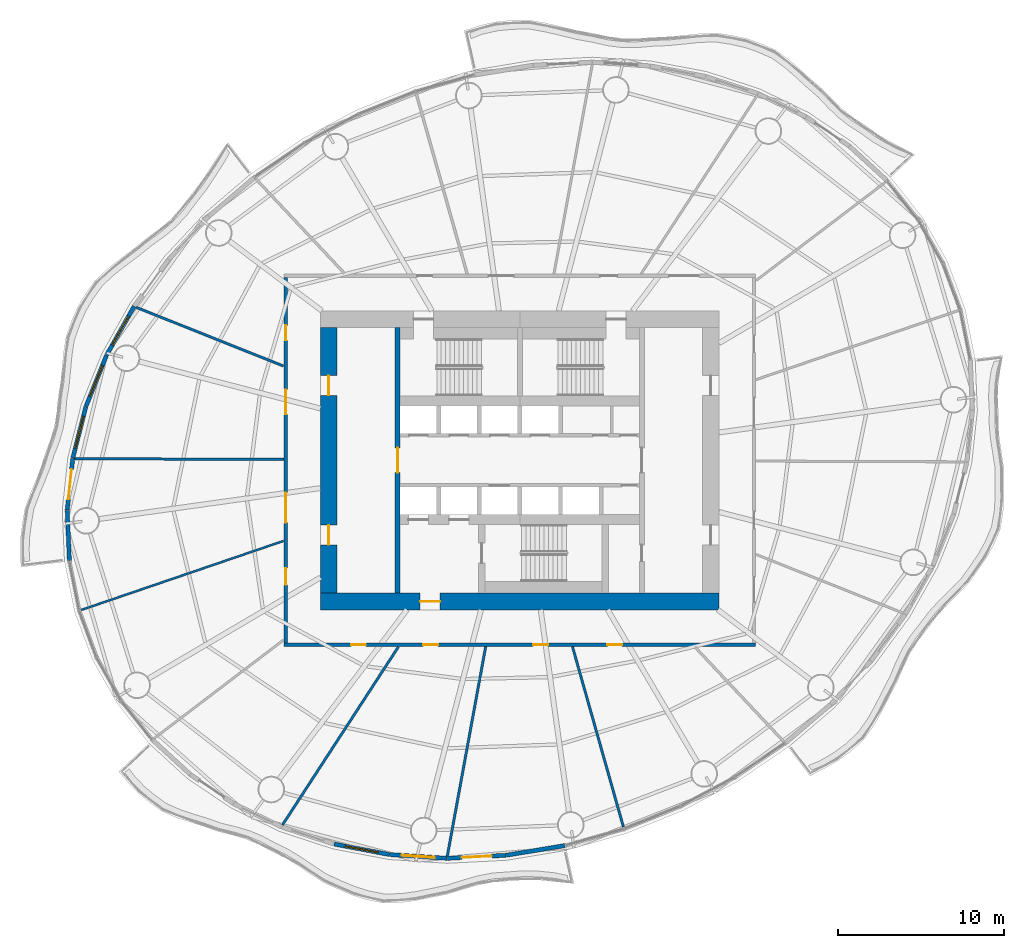
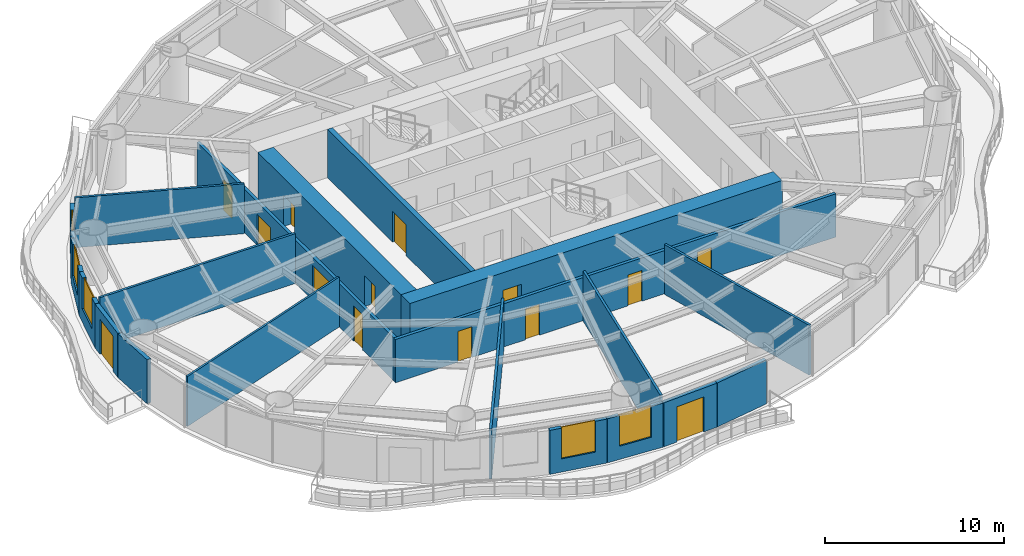
# One storey, part 8 of 14: 20 walls, 14 doors, 5 windows, 19 openings.
"""IFC4 building model written with IfcOpenShell, lengths in metres."""

from ifc_helpers import new_model, si_unit, direction, frame, frame_2d, origin, place, context, subcontext, project, spatial, rectangle, extrude, material, layer, layer_set, type_object, element, fill, save


model = new_model("IFC4")

# Units and contexts
model_context = context("Model", 3, precision=1e-05, world=origin(), true_north=direction((0.0, 1.0)))
body_context = subcontext(model_context, "Body", "Model", "MODEL_VIEW")
ifc_project = project(units=[si_unit("LENGTHUNIT", "METRE"), si_unit("AREAUNIT", "SQUARE_METRE"), si_unit("VOLUMEUNIT", "CUBIC_METRE"), si_unit("PLANEANGLEUNIT", "RADIAN"), si_unit("MASSUNIT", "GRAM", prefix="KILO")], contexts=[model_context])

# Site, building, storey
site_placement = place(None, origin())
site = spatial("IfcSite", under=ifc_project, at=site_placement, CompositionType="ELEMENT")
building_placement = place(site_placement, origin())
building = spatial("IfcBuilding", under=site, at=building_placement, Name="Vermilion Reach Broadcast Tower", CompositionType="ELEMENT")
storey_placement = place(building_placement, frame((0.0, 0.0, 131.800048828125)))
storey = spatial("IfcBuildingStorey", under=building, at=storey_placement, Name="L31", CompositionType="ELEMENT", Elevation=131.800048828125)

# Wall, opening, door
ifc_material_1 = material(Name="Concrete C70", Category="concrete")
ifc_layer_1 = layer(ifc_material_1, 0.300048828125)
ifc_layer_set_1 = layer_set([ifc_layer_1], Name="Core inner wall 300 mm Concrete C70")
wall_type_1 = type_object("IfcWallType", Name="Core inner wall 300 mm Concrete C70", PredefinedType="SHEAR", material=ifc_layer_set_1)
wall_1_placement = place(storey_placement, frame((-13.35009765625, 8.0, 0.0), z_axis=(0.0, 0.0, 1.0), x_axis=(0.0, -1.0, 0.0)))
wall_1 = element("IfcWall", 1, at=wall_1_placement, inside=storey, type_object=wall_type_1, Name="L31 core wall ewW", PredefinedType="SHEAR", context=body_context, shape_type="SweptSolid", body=[
    extrude(rectangle(XDim=16.0, YDim=0.300048828125, at=frame_2d((8.0, 0.0))), origin(), (0.0, 0.0, 1.0), 3.300048828125),
])
opening_1_placement = place(wall_1_placement, frame((7.25, 0.0, 0.0)))
opening_1 = element("IfcOpeningElement", 2, at=opening_1_placement, cuts=wall_1, Name="Opening D04", PredefinedType="OPENING", context=body_context, shape_type="SweptSolid", body=[
    extrude(rectangle(XDim=1.5, YDim=2.10009765625, at=frame_2d((0.75, 1.050048828125))), frame((0.0, 0.159912109375, 0.0), z_axis=(0.0, -1.0, 0.0), x_axis=(1.0, 0.0, 0.0)), (0.0, 0.0, 1.0), 0.320068359375),
])
ifc_material_2 = material(Name="Painted steel fire door", Category="steel")
door_type_1 = type_object("IfcDoorType", Name="Lift lobby door 1500 x 2100", OperationType="DOUBLE_DOOR_SINGLE_SWING", PredefinedType="NOTDEFINED", material=ifc_material_2)
door_1_placement = place(opening_1_placement, origin())
door_1 = element("IfcDoor", 3, at=door_1_placement, inside=storey, type_object=door_type_1, Name="L31 band door BW", OperationType="DOUBLE_DOOR_SINGLE_SWING", OverallHeight=2.10009765625, OverallWidth=1.5, PredefinedType="NOTDEFINED", context=body_context, shape_type="SweptSolid", body=[
    extrude(rectangle(XDim=1.5, YDim=2.10009765625, at=frame_2d((0.75, 1.050048828125))), frame((0.0, 0.02490234375, 0.0), z_axis=(0.0, -1.0, 0.0), x_axis=(1.0, 0.0, 0.0)), (0.0, 0.0, 1.0), 0.050048828125),
])
fill(opening_1, door_1)

ifc_material_3 = material(Name="Concrete C70", Category="concrete")
ifc_layer_2 = layer(ifc_material_3, 1.0)
ifc_layer_set_2 = layer_set([ifc_layer_2], Name="Core outer wall 1000 mm Concrete C70")
wall_type_2 = type_object("IfcWallType", Name="Core outer wall 1000 mm Concrete C70", PredefinedType="SHEAR", material=ifc_layer_set_2)
wall_2_placement = place(storey_placement, frame((-18.0, -8.5, 0.0), z_axis=(0.0, 0.0, 1.0), x_axis=(1.0, 0.0, 0.0)))
wall_2 = element("IfcWall", 4, at=wall_2_placement, inside=storey, type_object=wall_type_2, Name="L31 core wall os", PredefinedType="SHEAR", context=body_context, shape_type="SweptSolid", body=[
    extrude(rectangle(XDim=24.0, YDim=1.0, at=frame_2d((12.0, 0.0))), origin(), (0.0, 0.0, 1.0), 3.300048828125),
])
opening_2_placement = place(wall_2_placement, frame((6.0, 0.0, 0.0)))
opening_2 = element("IfcOpeningElement", 5, at=opening_2_placement, cuts=wall_2, Name="Opening D02", PredefinedType="OPENING", context=body_context, shape_type="SweptSolid", body=[
    extrude(rectangle(XDim=1.199951171875, YDim=2.10009765625, at=frame_2d((0.60009765625, 1.050048828125))), frame((0.0, 0.510009765625, 0.0), z_axis=(0.0, -1.0, 0.0), x_axis=(1.0, 0.0, 0.0)), (0.0, 0.0, 1.0), 1.02001953125),
])
ifc_material_4 = material(Name="Painted steel fire door", Category="steel")
door_type_2 = type_object("IfcDoorType", Name="Firefighting lobby door 1200 x 2100", OperationType="DOUBLE_DOOR_SINGLE_SWING", PredefinedType="NOTDEFINED", material=ifc_material_4)
door_2_placement = place(opening_2_placement, origin())
door_2 = element("IfcDoor", 6, at=door_2_placement, inside=storey, type_object=door_type_2, Name="L31 ffdoor door FFL", OperationType="DOUBLE_DOOR_SINGLE_SWING", OverallHeight=2.10009765625, OverallWidth=1.199951171875, PredefinedType="NOTDEFINED", context=body_context, shape_type="SweptSolid", body=[
    extrude(rectangle(XDim=1.199951171875, YDim=2.10009765625, at=frame_2d((0.60009765625, 1.050048828125))), frame((0.0, 0.02490234375, 0.0), z_axis=(0.0, -1.0, 0.0), x_axis=(1.0, 0.0, 0.0)), (0.0, 0.0, 1.0), 0.050048828125),
])
fill(opening_2, door_2)

# Wall, openings, doors
wall_3_placement = place(storey_placement, frame((-17.5, 8.0, 0.0), z_axis=(0.0, 0.0, 1.0), x_axis=(0.0, -1.0, 0.0)))
wall_3 = element("IfcWall", 7, at=wall_3_placement, inside=storey, type_object=wall_type_2, Name="L31 core wall ow", PredefinedType="SHEAR", context=body_context, shape_type="SweptSolid", body=[
    extrude(rectangle(XDim=16.0, YDim=1.0, at=frame_2d((8.0, 0.0))), origin(), (0.0, 0.0, 1.0), 3.300048828125),
])
opening_3_placement = place(wall_3_placement, frame((11.89990234375, 0.0, 0.0)))
opening_3 = element("IfcOpeningElement", 8, at=opening_3_placement, cuts=wall_3, Name="Opening D03", PredefinedType="OPENING", context=body_context, shape_type="SweptSolid", body=[
    extrude(rectangle(XDim=1.199951171875, YDim=2.10009765625, at=frame_2d((0.60009765625, 1.050048828125))), frame((0.0, 0.510009765625, 0.0), z_axis=(0.0, -1.0, 0.0), x_axis=(1.0, 0.0, 0.0)), (0.0, 0.0, 1.0), 1.02001953125),
])
opening_4_placement = place(wall_3_placement, frame((2.89990234375, 0.0, 0.0)))
opening_4 = element("IfcOpeningElement", 9, at=opening_4_placement, cuts=wall_3, Name="Opening D03", PredefinedType="OPENING", context=body_context, shape_type="SweptSolid", body=[
    extrude(rectangle(XDim=1.199951171875, YDim=2.10009765625, at=frame_2d((0.60009765625, 1.050048828125))), frame((0.0, 0.510009765625, 0.0), z_axis=(0.0, -1.0, 0.0), x_axis=(1.0, 0.0, 0.0)), (0.0, 0.0, 1.0), 1.02001953125),
])
ifc_material_5 = material(Name="Painted steel fire door", Category="steel")
door_type_3 = type_object("IfcDoorType", Name="Core lobby door 1200 x 2100", OperationType="DOUBLE_DOOR_SINGLE_SWING", PredefinedType="NOTDEFINED", material=ifc_material_5)
door_3_placement = place(opening_3_placement, origin())
door_3 = element("IfcDoor", 10, at=door_3_placement, inside=storey, type_object=door_type_3, Name="L31 slot door W0", OperationType="DOUBLE_DOOR_SINGLE_SWING", OverallHeight=2.10009765625, OverallWidth=1.199951171875, PredefinedType="NOTDEFINED", context=body_context, shape_type="SweptSolid", body=[
    extrude(rectangle(XDim=1.199951171875, YDim=2.10009765625, at=frame_2d((0.60009765625, 1.050048828125))), frame((0.0, 0.02490234375, 0.0), z_axis=(0.0, -1.0, 0.0), x_axis=(1.0, 0.0, 0.0)), (0.0, 0.0, 1.0), 0.050048828125),
])
fill(opening_3, door_3)
door_4_placement = place(opening_4_placement, origin())
door_4 = element("IfcDoor", 11, at=door_4_placement, inside=storey, type_object=door_type_3, Name="L31 slot door W1", OperationType="DOUBLE_DOOR_SINGLE_SWING", OverallHeight=2.10009765625, OverallWidth=1.199951171875, PredefinedType="NOTDEFINED", context=body_context, shape_type="SweptSolid", body=[
    extrude(rectangle(XDim=1.199951171875, YDim=2.10009765625, at=frame_2d((0.60009765625, 1.050048828125))), frame((0.0, 0.02490234375, 0.0), z_axis=(0.0, -1.0, 0.0), x_axis=(1.0, 0.0, 0.0)), (0.0, 0.0, 1.0), 0.050048828125),
])
fill(opening_4, door_4)

# Walls
ifc_material_6 = material(Name="Fire-rated plasterboard on steel stud", Category="steel")
ifc_layer_3 = layer(ifc_material_6, 0.125)
ifc_layer_set_3 = layer_set([ifc_layer_3], Name="Partition 125 fire-rated stud")
wall_type_3 = type_object("IfcWallType", Name="Partition 125 fire-rated stud", PredefinedType="PARTITIONING", material=ifc_layer_set_3)
wall_4_placement = place(storey_placement, frame((-32.402099609375, -9.0126953125, 0.0), z_axis=(0.0, 0.0, 1.0), x_axis=(0.946378852939, 0.32305892142, 0.0)))
element("IfcWall", 12, at=wall_4_placement, inside=storey, type_object=wall_type_3, Name="Partition 31.08", PredefinedType="PARTITIONING", context=body_context, shape_type="SweptSolid", body=[
    extrude(rectangle(XDim=12.8720703125, YDim=0.125, at=frame_2d((6.43603515625, 0.0))), origin(), (0.0, 0.0, 1.0), 3.39990234375),
])
ifc_material_7 = material(Name="Lightweight concrete block, plastered", Category="concrete")
ifc_layer_4 = layer(ifc_material_7, 0.14990234375)
ifc_layer_set_4 = layer_set([ifc_layer_4], Name="Partition 150 lightweight block")
wall_type_4 = type_object("IfcWallType", Name="Partition 150 lightweight block", PredefinedType="PARTITIONING", material=ifc_layer_set_4)
wall_5_placement = place(storey_placement, frame((-29.110107421875, 9.213134765625, 0.0), z_axis=(0.0, 0.0, 1.0), x_axis=(0.928905711754, -0.370316322447, 0.0)))
element("IfcWall", 13, at=wall_5_placement, inside=storey, type_object=wall_type_4, Name="Partition 31.06", PredefinedType="PARTITIONING", context=body_context, shape_type="SweptSolid", body=[
    extrude(rectangle(XDim=9.562255859375, YDim=0.14990234375, at=frame_2d((4.78125, 0.0))), origin(), (0.0, 0.0, 1.0), 3.39990234375),
])
wall_6_placement = place(storey_placement, frame((-32.7919921875, 0.09521484375, 0.0), z_axis=(0.0, 0.0, 1.0), x_axis=(0.999993705333, -0.003548139601, 0.0)))
element("IfcWall", 14, at=wall_6_placement, inside=storey, type_object=wall_type_4, Name="Partition 31.07", PredefinedType="PARTITIONING", context=body_context, shape_type="SweptSolid", body=[
    extrude(rectangle(XDim=12.591796875, YDim=0.14990234375, at=frame_2d((6.2958984375, 0.0))), origin(), (0.0, 0.0, 1.0), 3.39990234375),
])
wall_7_placement = place(storey_placement, frame((-20.291015625, -21.959228515625, 0.0), z_axis=(0.0, 0.0, 1.0), x_axis=(0.545467381377, 0.838132051561, 0.0)))
element("IfcWall", 15, at=wall_7_placement, inside=storey, type_object=wall_type_4, Name="Partition 31.10", PredefinedType="PARTITIONING", context=body_context, shape_type="SweptSolid", body=[
    extrude(rectangle(XDim=12.788330078125, YDim=0.14990234375, at=frame_2d((6.39404296875, 0.0))), origin(), (0.0, 0.0, 1.0), 3.39990234375),
])
wall_8_placement = place(storey_placement, frame((-10.366455078125, -23.841064453125, 0.0), z_axis=(0.0, 0.0, 1.0), x_axis=(0.180155525348, 0.983638138081, 0.0)))
element("IfcWall", 16, at=wall_8_placement, inside=storey, type_object=wall_type_4, Name="Partition 31.11", PredefinedType="PARTITIONING", context=body_context, shape_type="SweptSolid", body=[
    extrude(rectangle(XDim=12.83740234375, YDim=0.14990234375, at=frame_2d((6.418701171875, 0.0))), origin(), (0.0, 0.0, 1.0), 3.39990234375),
])
wall_9_placement = place(storey_placement, frame((0.2392578125, -22.081787109375, 0.0), z_axis=(0.0, 0.0, 1.0), x_axis=(-0.271903007498, 0.962324661699, 0.0)))
element("IfcWall", 17, at=wall_9_placement, inside=storey, type_object=wall_type_4, Name="Partition 31.12", PredefinedType="PARTITIONING", context=body_context, shape_type="SweptSolid", body=[
    extrude(rectangle(XDim=11.28662109375, YDim=0.14990234375, at=frame_2d((5.643310546875, 0.0))), origin(), (0.0, 0.0, 1.0), 3.39990234375),
])

# Wall, opening, window
ifc_material_8 = material(Name="Terracotta rainscreen cladding", Category="masonry")
ifc_layer_5 = layer(ifc_material_8, 0.25)
ifc_layer_set_5 = layer_set([ifc_layer_5], Name="Terracotta rainscreen wall 250")
wall_type_5 = type_object("IfcWallType", Name="Terracotta rainscreen wall 250", PredefinedType="SOLIDWALL", material=ifc_layer_set_5)
wall_10_placement = place(storey_placement, frame((-29.220703125, 9.270751953125, 0.0), z_axis=(0.0, 0.0, 1.0), x_axis=(-0.489962712025, -0.871743391616, 0.0)))
wall_10 = element("IfcWall", 18, at=wall_10_placement, inside=storey, type_object=wall_type_5, Name="External wall L31 17", PredefinedType="SOLIDWALL", context=body_context, shape_type="SweptSolid", body=[
    extrude(rectangle(XDim=3.37841796875, YDim=0.25, at=frame_2d((1.689208984375, 0.0))), origin(), (0.0, 0.0, 1.0), 3.0),
])
opening_5_placement = place(wall_10_placement, frame((0.689208984375, 0.0, 0.89990234375)))
opening_5 = element("IfcOpeningElement", 19, at=opening_5_placement, cuts=wall_10, Name="Opening W03", PredefinedType="OPENING", context=body_context, shape_type="SweptSolid", body=[
    extrude(rectangle(XDim=2.0, YDim=2.10009765625, at=frame_2d((1.0, 1.050048828125))), frame((0.0, 0.135009765625, 0.0), z_axis=(0.0, -1.0, 0.0), x_axis=(1.0, 0.0, 0.0)), (0.0, 0.0, 1.0), 0.27001953125),
])
ifc_material_9 = material(Name="Low-e laminated clear glass in aluminium frame", Category="aluminium")
window_type = type_object("IfcWindowType", Name="Punched window 2000 x 2100 sill 900", PartitioningType="SINGLE_PANEL", PredefinedType="WINDOW", material=ifc_material_9)
window_1_placement = place(opening_5_placement, origin())
window_1 = element("IfcWindow", 20, at=window_1_placement, inside=storey, type_object=window_type, Name="Window L31 17", OverallHeight=2.10009765625, OverallWidth=2.0, PartitioningType="SINGLE_PANEL", PredefinedType="WINDOW", context=body_context, shape_type="SweptSolid", body=[
    extrude(rectangle(XDim=2.0, YDim=2.10009765625, at=frame_2d((1.0, 1.050048828125))), frame((0.0, 0.030029296875, 0.0), z_axis=(0.0, -1.0, 0.0), x_axis=(1.0, 0.0, 0.0)), (0.0, 0.0, 1.0), 0.06005859375),
])
fill(opening_5, window_1)

wall_11_placement = place(storey_placement, frame((-30.886474609375, 6.303955078125, 0.0), z_axis=(0.0, 0.0, 1.0), x_axis=(-0.374307156661, -0.927304778631, 0.0)))
wall_11 = element("IfcWall", 21, at=wall_11_placement, inside=storey, type_object=wall_type_5, Name="External wall L31 18", PredefinedType="SOLIDWALL", context=body_context, shape_type="SweptSolid", body=[
    extrude(rectangle(XDim=3.28857421875, YDim=0.25, at=frame_2d((1.644287109375, 0.0))), origin(), (0.0, 0.0, 1.0), 3.0),
])
opening_6_placement = place(wall_11_placement, frame((0.644287109375, 0.0, 0.89990234375)))
opening_6 = element("IfcOpeningElement", 22, at=opening_6_placement, cuts=wall_11, Name="Opening W03", PredefinedType="OPENING", context=body_context, shape_type="SweptSolid", body=[
    extrude(rectangle(XDim=2.0, YDim=2.10009765625, at=frame_2d((1.0, 1.050048828125))), frame((0.0, 0.135009765625, 0.0), z_axis=(0.0, -1.0, 0.0), x_axis=(1.0, 0.0, 0.0)), (0.0, 0.0, 1.0), 0.27001953125),
])
window_2_placement = place(opening_6_placement, origin())
window_2 = element("IfcWindow", 23, at=window_2_placement, inside=storey, type_object=window_type, Name="Window L31 18", OverallHeight=2.10009765625, OverallWidth=2.0, PartitioningType="SINGLE_PANEL", PredefinedType="WINDOW", context=body_context, shape_type="SweptSolid", body=[
    extrude(rectangle(XDim=2.0, YDim=2.10009765625, at=frame_2d((1.0, 1.050048828125))), frame((0.0, 0.030029296875, 0.0), z_axis=(0.0, -1.0, 0.0), x_axis=(1.0, 0.0, 0.0)), (0.0, 0.0, 1.0), 0.06005859375),
])
fill(opening_6, window_2)

wall_12_placement = place(storey_placement, frame((-32.125244140625, 3.23095703125, 0.0), z_axis=(0.0, 0.0, 1.0), x_axis=(-0.245873914642, -0.969301819919, 0.0)))
wall_12 = element("IfcWall", 24, at=wall_12_placement, inside=storey, type_object=wall_type_5, Name="External wall L31 19", PredefinedType="SOLIDWALL", context=body_context, shape_type="SweptSolid", body=[
    extrude(rectangle(XDim=3.19921875, YDim=0.25, at=frame_2d((1.599609375, 0.0))), origin(), (0.0, 0.0, 1.0), 3.0),
])
opening_7_placement = place(wall_12_placement, frame((0.599609375, 0.0, 0.89990234375)))
opening_7 = element("IfcOpeningElement", 25, at=opening_7_placement, cuts=wall_12, Name="Opening W03", PredefinedType="OPENING", context=body_context, shape_type="SweptSolid", body=[
    extrude(rectangle(XDim=2.0, YDim=2.10009765625, at=frame_2d((1.0, 1.050048828125))), frame((0.0, 0.135009765625, 0.0), z_axis=(0.0, -1.0, 0.0), x_axis=(1.0, 0.0, 0.0)), (0.0, 0.0, 1.0), 0.27001953125),
])
window_3_placement = place(opening_7_placement, origin())
window_3 = element("IfcWindow", 26, at=window_3_placement, inside=storey, type_object=window_type, Name="Window L31 19", OverallHeight=2.10009765625, OverallWidth=2.0, PartitioningType="SINGLE_PANEL", PredefinedType="WINDOW", context=body_context, shape_type="SweptSolid", body=[
    extrude(rectangle(XDim=2.0, YDim=2.10009765625, at=frame_2d((1.0, 1.050048828125))), frame((0.0, 0.030029296875, 0.0), z_axis=(0.0, -1.0, 0.0), x_axis=(1.0, 0.0, 0.0)), (0.0, 0.0, 1.0), 0.06005859375),
])
fill(opening_7, window_3)

# Wall, opening, door
wall_13_placement = place(storey_placement, frame((-32.916259765625, 0.1044921875, 0.0), z_axis=(0.0, 0.0, 1.0), x_axis=(-0.105985463216, -0.994367679275, 0.0)))
wall_13 = element("IfcWall", 27, at=wall_13_placement, inside=storey, type_object=wall_type_5, Name="External wall L31 20", PredefinedType="SOLIDWALL", context=body_context, shape_type="SweptSolid", body=[
    extrude(rectangle(XDim=3.11669921875, YDim=0.25, at=frame_2d((1.558349609375, 0.0))), origin(), (0.0, 0.0, 1.0), 3.0),
])
opening_8_placement = place(wall_13_placement, frame((0.657958984375, 0.0, 0.0)))
opening_8 = element("IfcOpeningElement", 28, at=opening_8_placement, cuts=wall_13, Name="Opening D70", PredefinedType="OPENING", context=body_context, shape_type="SweptSolid", body=[
    extrude(rectangle(XDim=1.800048828125, YDim=2.39990234375, at=frame_2d((0.89990234375, 1.199951171875))), frame((0.0, 0.135009765625, 0.0), z_axis=(0.0, -1.0, 0.0), x_axis=(1.0, 0.0, 0.0)), (0.0, 0.0, 1.0), 0.27001953125),
])
ifc_material_10 = material(Name="Low-e laminated clear glass in aluminium frame", Category="aluminium")
door_type_4 = type_object("IfcDoorType", Name="Balcony sliding door 1800 x 2400", OperationType="DOUBLE_DOOR_SLIDING", PredefinedType="DOOR", material=ifc_material_10)
door_5_placement = place(opening_8_placement, origin())
door_5 = element("IfcDoor", 29, at=door_5_placement, inside=storey, type_object=door_type_4, Name="Balcony door L31 run 05", OperationType="DOUBLE_DOOR_SLIDING", OverallHeight=2.39990234375, OverallWidth=1.800048828125, PredefinedType="DOOR", context=body_context, shape_type="SweptSolid", body=[
    extrude(rectangle(XDim=1.800048828125, YDim=2.39990234375, at=frame_2d((0.89990234375, 1.199951171875))), frame((0.0, 0.02490234375, 0.0), z_axis=(0.0, -1.0, 0.0), x_axis=(1.0, 0.0, 0.0)), (0.0, 0.0, 1.0), 0.050048828125),
])
fill(opening_8, door_5)

# Wall
wall_14_placement = place(storey_placement, frame((-33.247314453125, -3.021240234375, 0.0), z_axis=(0.0, 0.0, 1.0), x_axis=(0.042876894393, -0.999080363098, 0.0)))
element("IfcWall", 30, at=wall_14_placement, inside=storey, type_object=wall_type_5, Name="External wall L31 21", PredefinedType="SOLIDWALL", context=body_context, shape_type="SweptSolid", body=[
    extrude(rectangle(XDim=3.00634765625, YDim=0.25, at=frame_2d((1.503173828125, 0.0))), origin(), (0.0, 0.0, 1.0), 3.0),
])

# Wall, opening, window
wall_15_placement = place(storey_placement, frame((-17.176513671875, -23.106689453125, 0.0), z_axis=(0.0, 0.0, 1.0), x_axis=(0.982478083438, -0.186378152055, 0.0)))
wall_15 = element("IfcWall", 31, at=wall_15_placement, inside=storey, type_object=wall_type_5, Name="External wall L31 30", PredefinedType="SOLIDWALL", context=body_context, shape_type="SweptSolid", body=[
    extrude(rectangle(XDim=3.378173828125, YDim=0.25, at=frame_2d((1.68896484375, 0.0))), origin(), (0.0, 0.0, 1.0), 3.0),
])
opening_9_placement = place(wall_15_placement, frame((0.689208984375, 0.0, 0.89990234375)))
opening_9 = element("IfcOpeningElement", 32, at=opening_9_placement, cuts=wall_15, Name="Opening W03", PredefinedType="OPENING", context=body_context, shape_type="SweptSolid", body=[
    extrude(rectangle(XDim=2.0, YDim=2.10009765625, at=frame_2d((1.0, 1.050048828125))), frame((0.0, 0.135009765625, 0.0), z_axis=(0.0, -1.0, 0.0), x_axis=(1.0, 0.0, 0.0)), (0.0, 0.0, 1.0), 0.27001953125),
])
window_4_placement = place(opening_9_placement, origin())
window_4 = element("IfcWindow", 33, at=window_4_placement, inside=storey, type_object=window_type, Name="Window L31 30", OverallHeight=2.10009765625, OverallWidth=2.0, PartitioningType="SINGLE_PANEL", PredefinedType="WINDOW", context=body_context, shape_type="SweptSolid", body=[
    extrude(rectangle(XDim=2.0, YDim=2.10009765625, at=frame_2d((1.0, 1.050048828125))), frame((0.0, 0.030029296875, 0.0), z_axis=(0.0, -1.0, 0.0), x_axis=(1.0, 0.0, 0.0)), (0.0, 0.0, 1.0), 0.06005859375),
])
fill(opening_9, window_4)

wall_16_placement = place(storey_placement, frame((-13.834228515625, -23.7392578125, 0.0), z_axis=(0.0, 0.0, 1.0), x_axis=(0.997871338214, -0.065213437039, 0.0)))
wall_16 = element("IfcWall", 34, at=wall_16_placement, inside=storey, type_object=wall_type_5, Name="External wall L31 31", PredefinedType="SOLIDWALL", context=body_context, shape_type="SweptSolid", body=[
    extrude(rectangle(XDim=3.462890625, YDim=0.25, at=frame_2d((1.7314453125, 0.0))), origin(), (0.0, 0.0, 1.0), 3.0),
])
opening_10_placement = place(wall_16_placement, frame((0.7314453125, 0.0, 0.89990234375)))
opening_10 = element("IfcOpeningElement", 35, at=opening_10_placement, cuts=wall_16, Name="Opening W03", PredefinedType="OPENING", context=body_context, shape_type="SweptSolid", body=[
    extrude(rectangle(XDim=2.0, YDim=2.10009765625, at=frame_2d((1.0, 1.050048828125))), frame((0.0, 0.135009765625, 0.0), z_axis=(0.0, -1.0, 0.0), x_axis=(1.0, 0.0, 0.0)), (0.0, 0.0, 1.0), 0.27001953125),
])
window_5_placement = place(opening_10_placement, origin())
window_5 = element("IfcWindow", 36, at=window_5_placement, inside=storey, type_object=window_type, Name="Window L31 31", OverallHeight=2.10009765625, OverallWidth=2.0, PartitioningType="SINGLE_PANEL", PredefinedType="WINDOW", context=body_context, shape_type="SweptSolid", body=[
    extrude(rectangle(XDim=2.0, YDim=2.10009765625, at=frame_2d((1.0, 1.050048828125))), frame((0.0, 0.030029296875, 0.0), z_axis=(0.0, -1.0, 0.0), x_axis=(1.0, 0.0, 0.0)), (0.0, 0.0, 1.0), 0.06005859375),
])
fill(opening_10, window_5)

# Wall, opening, door
wall_17_placement = place(storey_placement, frame((-10.35595703125, -23.96533203125, 0.0), z_axis=(0.0, 0.0, 1.0), x_axis=(0.998669769299, 0.051562504677, 0.0)))
wall_17 = element("IfcWall", 37, at=wall_17_placement, inside=storey, type_object=wall_type_5, Name="External wall L31 32", PredefinedType="SOLIDWALL", context=body_context, shape_type="SweptSolid", body=[
    extrude(rectangle(XDim=3.536865234375, YDim=0.25, at=frame_2d((1.7685546875, 0.0))), origin(), (0.0, 0.0, 1.0), 3.0),
])
opening_11_placement = place(wall_17_placement, frame((0.868896484375, 0.0, 0.0)))
opening_11 = element("IfcOpeningElement", 38, at=opening_11_placement, cuts=wall_17, Name="Opening D70", PredefinedType="OPENING", context=body_context, shape_type="SweptSolid", body=[
    extrude(rectangle(XDim=1.800048828125, YDim=2.39990234375, at=frame_2d((0.89990234375, 1.199951171875))), frame((0.0, 0.135009765625, 0.0), z_axis=(0.0, -1.0, 0.0), x_axis=(1.0, 0.0, 0.0)), (0.0, 0.0, 1.0), 0.27001953125),
])
door_6_placement = place(opening_11_placement, origin())
door_6 = element("IfcDoor", 39, at=door_6_placement, inside=storey, type_object=door_type_4, Name="Balcony door L31 run 08", OperationType="DOUBLE_DOOR_SLIDING", OverallHeight=2.39990234375, OverallWidth=1.800048828125, PredefinedType="DOOR", context=body_context, shape_type="SweptSolid", body=[
    extrude(rectangle(XDim=1.800048828125, YDim=2.39990234375, at=frame_2d((0.89990234375, 1.199951171875))), frame((0.0, 0.02490234375, 0.0), z_axis=(0.0, -1.0, 0.0), x_axis=(1.0, 0.0, 0.0)), (0.0, 0.0, 1.0), 0.050048828125),
])
fill(opening_11, door_6)

# Wall
wall_18_placement = place(storey_placement, frame((-6.8017578125, -23.780517578125, 0.0), z_axis=(0.0, 0.0, 1.0), x_axis=(0.986531036339, 0.163574186045, 0.0)))
element("IfcWall", 40, at=wall_18_placement, inside=storey, type_object=wall_type_5, Name="External wall L31 33", PredefinedType="SOLIDWALL", context=body_context, shape_type="SweptSolid", body=[
    extrude(rectangle(XDim=3.55224609375, YDim=0.25, at=frame_2d((1.776123046875, 0.0))), origin(), (0.0, 0.0, 1.0), 3.0),
])

# Wall, openings, doors
ifc_material_11 = material(Name="Fire-rated gypsum board partition")
ifc_layer_6 = layer(ifc_material_11, 0.199951171875)
ifc_layer_set_6 = layer_set([ifc_layer_6], Name="Under girder: Corridor wall 200 fire-rated")
wall_type_6 = type_object("IfcWallType", Name="Under girder: Corridor wall 200 fire-rated", PredefinedType="PARTITIONING", material=ifc_layer_set_6)
wall_19_placement = place(storey_placement, frame((8.199951171875, -11.10009765625, 0.0), z_axis=(0.0, 0.0, 1.0), x_axis=(-1.0, 0.0, 0.0)))
wall_19 = element("IfcWall", 41, at=wall_19_placement, inside=storey, type_object=wall_type_6, Name="Corridor wall 31.S", PredefinedType="PARTITIONING", context=body_context, shape_type="SweptSolid", body=[
    extrude(rectangle(XDim=28.39990234375, YDim=0.199951171875, at=frame_2d((14.199951171875, 0.0))), origin(), (0.0, 0.0, 1.0), 2.949951171875),
])
opening_12_placement = place(wall_19_placement, frame((23.462158203125, 0.0, 0.0)))
opening_12 = element("IfcOpeningElement", 42, at=opening_12_placement, cuts=wall_19, Name="Opening D22", PredefinedType="OPENING", context=body_context, shape_type="SweptSolid", body=[
    extrude(rectangle(XDim=0.89990234375, YDim=2.10009765625, at=frame_2d((0.449951171875, 1.050048828125))), frame((0.0, 0.10986328125, 0.0), z_axis=(0.0, -1.0, 0.0), x_axis=(1.0, 0.0, 0.0)), (0.0, 0.0, 1.0), 0.219970703125),
])
opening_13_placement = place(wall_19_placement, frame((19.11767578125, 0.0, 0.0)))
opening_13 = element("IfcOpeningElement", 43, at=opening_13_placement, cuts=wall_19, Name="Opening D22", PredefinedType="OPENING", context=body_context, shape_type="SweptSolid", body=[
    extrude(rectangle(XDim=0.89990234375, YDim=2.10009765625, at=frame_2d((0.449951171875, 1.050048828125))), frame((0.0, 0.10986328125, 0.0), z_axis=(0.0, -1.0, 0.0), x_axis=(1.0, 0.0, 0.0)), (0.0, 0.0, 1.0), 0.219970703125),
])
opening_14_placement = place(wall_19_placement, frame((12.500244140625, 0.0, 0.0)))
opening_14 = element("IfcOpeningElement", 44, at=opening_14_placement, cuts=wall_19, Name="Opening D22", PredefinedType="OPENING", context=body_context, shape_type="SweptSolid", body=[
    extrude(rectangle(XDim=0.89990234375, YDim=2.10009765625, at=frame_2d((0.449951171875, 1.050048828125))), frame((0.0, 0.10986328125, 0.0), z_axis=(0.0, -1.0, 0.0), x_axis=(1.0, 0.0, 0.0)), (0.0, 0.0, 1.0), 0.219970703125),
])
opening_15_placement = place(wall_19_placement, frame((8.03271484375, 0.0, 0.0)))
opening_15 = element("IfcOpeningElement", 45, at=opening_15_placement, cuts=wall_19, Name="Opening D22", PredefinedType="OPENING", context=body_context, shape_type="SweptSolid", body=[
    extrude(rectangle(XDim=0.89990234375, YDim=2.10009765625, at=frame_2d((0.449951171875, 1.050048828125))), frame((0.0, 0.10986328125, 0.0), z_axis=(0.0, -1.0, 0.0), x_axis=(1.0, 0.0, 0.0)), (0.0, 0.0, 1.0), 0.219970703125),
])
ifc_material_12 = material(Name="Timber door leaf", Category="wood")
door_type_5 = type_object("IfcDoorType", Name="Door single 900x2100", OperationType="NOTDEFINED", PredefinedType="DOOR", material=ifc_material_12)
door_7_placement = place(opening_12_placement, origin())
door_7 = element("IfcDoor", 46, at=door_7_placement, inside=storey, type_object=door_type_5, Name="Door 31.09", OperationType="SINGLE_SWING_LEFT", OverallHeight=2.10009765625, OverallWidth=0.89990234375, PredefinedType="DOOR", context=body_context, shape_type="SweptSolid", body=[
    extrude(rectangle(XDim=0.89990234375, YDim=2.10009765625, at=frame_2d((0.449951171875, 1.050048828125))), frame((0.0, 0.02490234375, 0.0), z_axis=(0.0, -1.0, 0.0), x_axis=(1.0, 0.0, 0.0)), (0.0, 0.0, 1.0), 0.050048828125),
])
fill(opening_12, door_7)
door_8_placement = place(opening_13_placement, origin())
door_8 = element("IfcDoor", 47, at=door_8_placement, inside=storey, type_object=door_type_5, Name="Door 31.10", OperationType="SINGLE_SWING_RIGHT", OverallHeight=2.10009765625, OverallWidth=0.89990234375, PredefinedType="DOOR", context=body_context, shape_type="SweptSolid", body=[
    extrude(rectangle(XDim=0.89990234375, YDim=2.10009765625, at=frame_2d((0.449951171875, 1.050048828125))), frame((0.0, 0.02490234375, 0.0), z_axis=(0.0, -1.0, 0.0), x_axis=(1.0, 0.0, 0.0)), (0.0, 0.0, 1.0), 0.050048828125),
])
fill(opening_13, door_8)
door_9_placement = place(opening_14_placement, origin())
door_9 = element("IfcDoor", 48, at=door_9_placement, inside=storey, type_object=door_type_5, Name="Door 31.11", OperationType="SINGLE_SWING_LEFT", OverallHeight=2.10009765625, OverallWidth=0.89990234375, PredefinedType="DOOR", context=body_context, shape_type="SweptSolid", body=[
    extrude(rectangle(XDim=0.89990234375, YDim=2.10009765625, at=frame_2d((0.449951171875, 1.050048828125))), frame((0.0, 0.02490234375, 0.0), z_axis=(0.0, -1.0, 0.0), x_axis=(1.0, 0.0, 0.0)), (0.0, 0.0, 1.0), 0.050048828125),
])
fill(opening_14, door_9)
door_10_placement = place(opening_15_placement, origin())
door_10 = element("IfcDoor", 49, at=door_10_placement, inside=storey, type_object=door_type_5, Name="Door 31.12", OperationType="SINGLE_SWING_RIGHT", OverallHeight=2.10009765625, OverallWidth=0.89990234375, PredefinedType="DOOR", context=body_context, shape_type="SweptSolid", body=[
    extrude(rectangle(XDim=0.89990234375, YDim=2.10009765625, at=frame_2d((0.449951171875, 1.050048828125))), frame((0.0, 0.02490234375, 0.0), z_axis=(0.0, -1.0, 0.0), x_axis=(1.0, 0.0, 0.0)), (0.0, 0.0, 1.0), 0.050048828125),
])
fill(opening_15, door_10)

wall_20_placement = place(storey_placement, frame((-20.10009765625, -11.0, 0.0), z_axis=(0.0, 0.0, 1.0), x_axis=(0.0, 1.0, 0.0)))
wall_20 = element("IfcWall", 50, at=wall_20_placement, inside=storey, type_object=wall_type_6, Name="Corridor wall 31.W", PredefinedType="PARTITIONING", context=body_context, shape_type="SweptSolid", body=[
    extrude(rectangle(XDim=22.0, YDim=0.199951171875, at=frame_2d((11.0, 0.0))), origin(), (0.0, 0.0, 1.0), 2.949951171875),
])
opening_16_placement = place(wall_20_placement, frame((18.22265625, 0.0, 0.0)))
opening_16 = element("IfcOpeningElement", 51, at=opening_16_placement, cuts=wall_20, Name="Opening D22", PredefinedType="OPENING", context=body_context, shape_type="SweptSolid", body=[
    extrude(rectangle(XDim=0.89990234375, YDim=2.10009765625, at=frame_2d((0.449951171875, 1.050048828125))), frame((0.0, 0.10986328125, 0.0), z_axis=(0.0, -1.0, 0.0), x_axis=(1.0, 0.0, 0.0)), (0.0, 0.0, 1.0), 0.219970703125),
])
opening_17_placement = place(wall_20_placement, frame((13.7578125, 0.0, 0.0)))
opening_17 = element("IfcOpeningElement", 52, at=opening_17_placement, cuts=wall_20, Name="Opening D24", PredefinedType="OPENING", context=body_context, shape_type="SweptSolid", body=[
    extrude(rectangle(XDim=1.5, YDim=2.10009765625, at=frame_2d((0.75, 1.050048828125))), frame((0.0, 0.10986328125, 0.0), z_axis=(0.0, -1.0, 0.0), x_axis=(1.0, 0.0, 0.0)), (0.0, 0.0, 1.0), 0.219970703125),
])
opening_18_placement = place(wall_20_placement, frame((7.251953125, 0.0, 0.0)))
opening_18 = element("IfcOpeningElement", 53, at=opening_18_placement, cuts=wall_20, Name="Opening D27", PredefinedType="OPENING", context=body_context, shape_type="SweptSolid", body=[
    extrude(rectangle(XDim=1.800048828125, YDim=2.39990234375, at=frame_2d((0.89990234375, 1.199951171875))), frame((0.0, 0.10986328125, 0.0), z_axis=(0.0, -1.0, 0.0), x_axis=(1.0, 0.0, 0.0)), (0.0, 0.0, 1.0), 0.219970703125),
])
opening_19_placement = place(wall_20_placement, frame((3.501708984375, 0.0, 0.0)))
opening_19 = element("IfcOpeningElement", 54, at=opening_19_placement, cuts=wall_20, Name="Opening D23", PredefinedType="OPENING", context=body_context, shape_type="SweptSolid", body=[
    extrude(rectangle(XDim=1.0, YDim=2.39990234375, at=frame_2d((0.5, 1.199951171875))), frame((0.0, 0.10986328125, 0.0), z_axis=(0.0, -1.0, 0.0), x_axis=(1.0, 0.0, 0.0)), (0.0, 0.0, 1.0), 0.219970703125),
])
ifc_material_13 = material(Name="Timber door leaf", Category="wood")
door_type_6 = type_object("IfcDoorType", Name="Door pair 1500x2100", OperationType="NOTDEFINED", PredefinedType="DOOR", material=ifc_material_13)
door_11_placement = place(opening_17_placement, origin())
door_11 = element("IfcDoor", 55, at=door_11_placement, inside=storey, type_object=door_type_6, Name="Door 31.06", OperationType="DOUBLE_DOOR_SINGLE_SWING", OverallHeight=2.10009765625, OverallWidth=1.5, PredefinedType="DOOR", context=body_context, shape_type="SweptSolid", body=[
    extrude(rectangle(XDim=1.5, YDim=2.10009765625, at=frame_2d((0.75, 1.050048828125))), frame((0.0, 0.02490234375, 0.0), z_axis=(0.0, -1.0, 0.0), x_axis=(1.0, 0.0, 0.0)), (0.0, 0.0, 1.0), 0.050048828125),
])
fill(opening_17, door_11)
ifc_material_14 = material(Name="Acoustic timber door leaf", Category="wood")
door_type_7 = type_object("IfcDoorType", Name="Door pair 1800x2400", OperationType="NOTDEFINED", PredefinedType="DOOR", material=ifc_material_14)
door_12_placement = place(opening_18_placement, origin())
door_12 = element("IfcDoor", 56, at=door_12_placement, inside=storey, type_object=door_type_7, Name="Door 31.07", OperationType="DOUBLE_DOOR_SINGLE_SWING", OverallHeight=2.39990234375, OverallWidth=1.800048828125, PredefinedType="DOOR", context=body_context, shape_type="SweptSolid", body=[
    extrude(rectangle(XDim=1.800048828125, YDim=2.39990234375, at=frame_2d((0.89990234375, 1.199951171875))), frame((0.0, 0.02490234375, 0.0), z_axis=(0.0, -1.0, 0.0), x_axis=(1.0, 0.0, 0.0)), (0.0, 0.0, 1.0), 0.050048828125),
])
fill(opening_18, door_12)
ifc_material_15 = material(Name="Veneered timber door leaf", Category="wood")
door_type_8 = type_object("IfcDoorType", Name="Door single 1000x2400", OperationType="NOTDEFINED", PredefinedType="DOOR", material=ifc_material_15)
door_13_placement = place(opening_19_placement, origin())
door_13 = element("IfcDoor", 57, at=door_13_placement, inside=storey, type_object=door_type_8, Name="Door 31.08", OperationType="SINGLE_SWING_RIGHT", OverallHeight=2.39990234375, OverallWidth=1.0, PredefinedType="DOOR", context=body_context, shape_type="SweptSolid", body=[
    extrude(rectangle(XDim=1.0, YDim=2.39990234375, at=frame_2d((0.5, 1.199951171875))), frame((0.0, 0.02490234375, 0.0), z_axis=(0.0, -1.0, 0.0), x_axis=(1.0, 0.0, 0.0)), (0.0, 0.0, 1.0), 0.050048828125),
])
fill(opening_19, door_13)
door_14_placement = place(opening_16_placement, origin())
door_14 = element("IfcDoor", 58, at=door_14_placement, inside=storey, type_object=door_type_5, Name="Door 31.05", OperationType="SINGLE_SWING_LEFT", OverallHeight=2.10009765625, OverallWidth=0.89990234375, PredefinedType="DOOR", context=body_context, shape_type="SweptSolid", body=[
    extrude(rectangle(XDim=0.89990234375, YDim=2.10009765625, at=frame_2d((0.449951171875, 1.050048828125))), frame((0.0, 0.02490234375, 0.0), z_axis=(0.0, -1.0, 0.0), x_axis=(1.0, 0.0, 0.0)), (0.0, 0.0, 1.0), 0.050048828125),
])
fill(opening_16, door_14)

save(model, "model.ifc")
